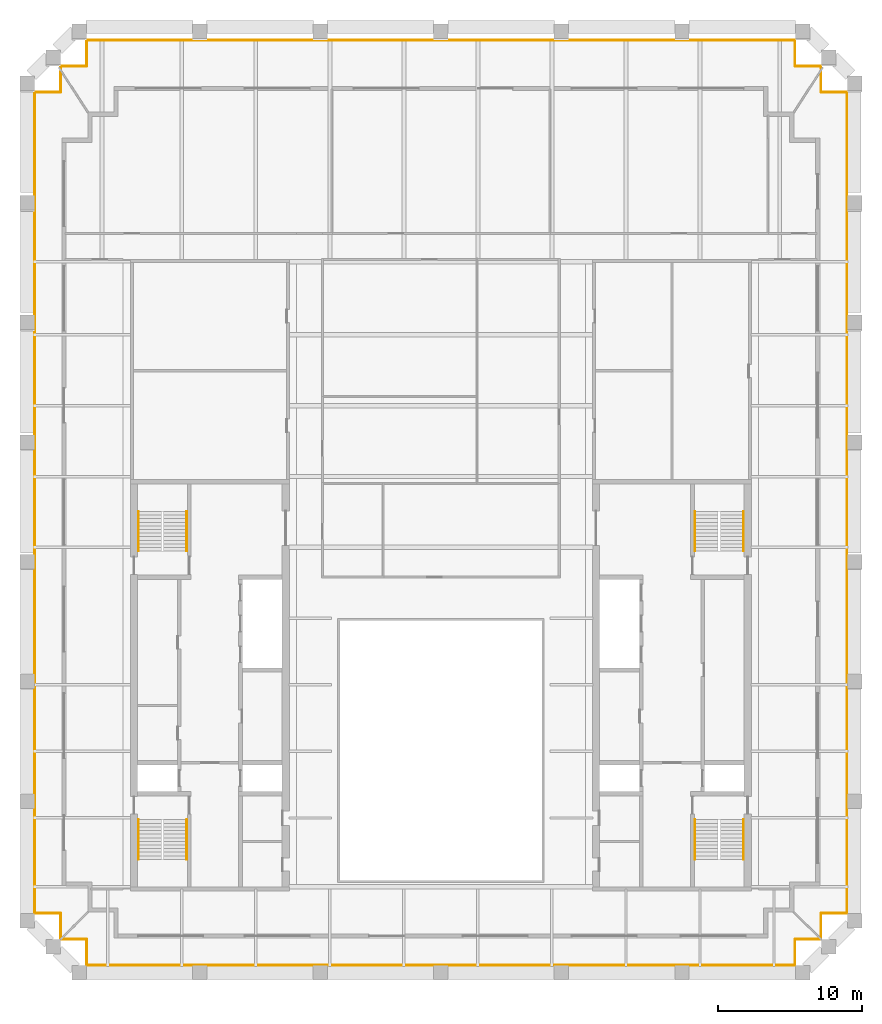
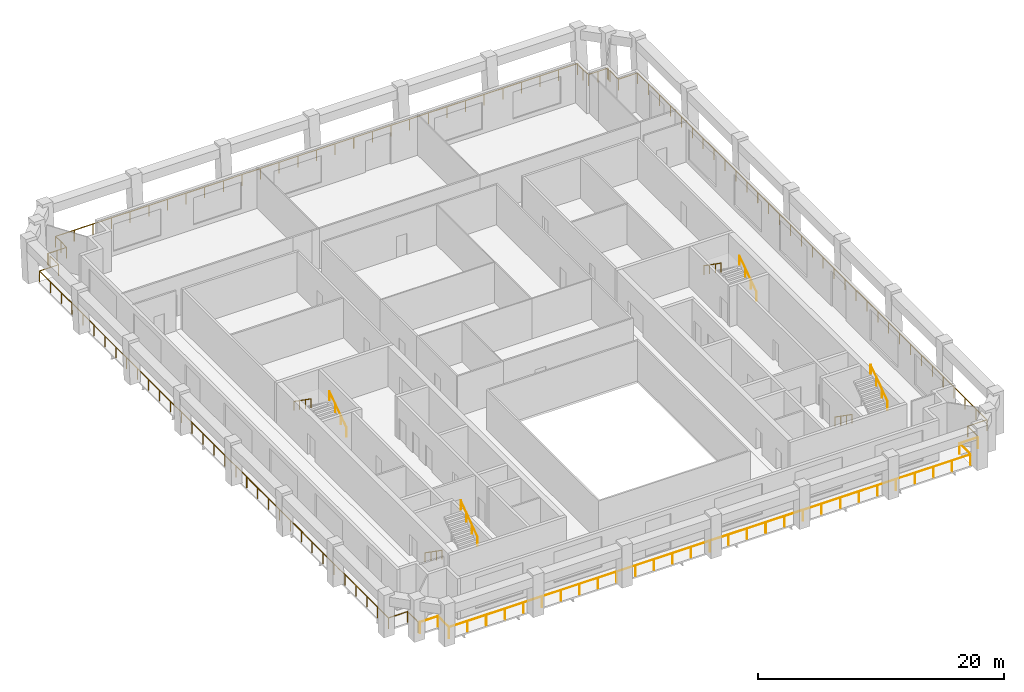
# One storey, part 8 of 8: 12 railings.
"""IFC4 building model written with IfcOpenShell, lengths in metres."""

from ifc_helpers import new_model, si_unit, direction, frame, origin, origin_2d, place, context, subcontext, project, spatial, circle, extrude, material, type_object, element, save


model = new_model("IFC4")

# Units and contexts
model_context = context("Model", 3, precision=1e-05, world=origin(), true_north=direction((0.0, 1.0)))
body_context = subcontext(model_context, "Body", "Model", "MODEL_VIEW")
ifc_project = project(units=[si_unit("LENGTHUNIT", "METRE"), si_unit("AREAUNIT", "SQUARE_METRE"), si_unit("VOLUMEUNIT", "CUBIC_METRE"), si_unit("PLANEANGLEUNIT", "RADIAN"), si_unit("MASSUNIT", "GRAM", prefix="KILO")], contexts=[model_context])

# Site, building, storey
site_placement = place(None, origin())
site = spatial("IfcSite", under=ifc_project, at=site_placement, CompositionType="ELEMENT")
building_placement = place(site_placement, origin())
building = spatial("IfcBuilding", under=site, at=building_placement, Name="Ogive Exchange Tower", CompositionType="ELEMENT")
storey_placement = place(building_placement, frame((0.0, 0.0, 317.39990234375)))
storey = spatial("IfcBuildingStorey", under=building, at=storey_placement, Name="L69", CompositionType="ELEMENT", Elevation=317.39990234375)

# Railings
ifc_material_1 = material(Name="Stainless steel 316", Category="steel")
railing_type_1 = type_object("IfcRailingType", Name="Guard 1100 stainless steel and glass", PredefinedType="GUARDRAIL", material=ifc_material_1)
railing_1_placement = place(storey_placement, frame((26.238037109375, -6.080078125, -0.0498046875)))
element("IfcRailing", 1, at=railing_1_placement, inside=storey, type_object=railing_type_1, Name="Loggia guard 1", PredefinedType="GUARDRAIL", context=body_context, shape_type="SweptSolid", body=[
    extrude(circle(Radius=0.02392578125, at=origin_2d()), frame((0.0, 0.0, 1.076171875), z_axis=(-1.0, 0.0, 0.0), x_axis=(0.0, -1.0, 0.0)), (0.0, 0.0, 1.0), 1.7080078125),
    extrude(circle(Radius=0.02392578125, at=origin_2d()), frame((-1.7080078125, 0.0, 1.076171875), z_axis=(0.0, -1.0, 0.0), x_axis=(1.0, 0.0, 0.0)), (0.0, 0.0, 1.0), 1.7998046875),
    extrude(circle(Radius=0.02392578125, at=origin_2d()), frame((-1.7080078125, -1.7998046875, 1.076171875), z_axis=(-1.0, 0.0, 0.0), x_axis=(0.0, -1.0, 0.0)), (0.0, 0.0, 1.0), 49.06005859375),
    extrude(circle(Radius=0.02392578125, at=origin_2d()), frame((-50.76806640625, -1.7998046875, 1.076171875), z_axis=(0.0, 1.0, 0.0), x_axis=(-1.0, 0.0, 0.0)), (0.0, 0.0, 1.0), 1.7998046875),
    extrude(circle(Radius=0.02392578125, at=origin_2d()), frame((-50.76806640625, 0.0, 1.076171875), z_axis=(-1.0, 0.0, 0.0), x_axis=(0.0, -1.0, 0.0)), (0.0, 0.0, 1.0), 1.7080078125),
    extrude(circle(Radius=0.02099609375, at=origin_2d()), origin(), (0.0, 0.0, 1.0), 1.052001953125),
    extrude(circle(Radius=0.02099609375, at=origin_2d()), frame((-1.7080078125, 0.0, 0.0)), (0.0, 0.0, 1.0), 1.052001953125),
    extrude(circle(Radius=0.02099609375, at=origin_2d()), frame((-1.7080078125, -1.7998046875, 0.0)), (0.0, 0.0, 1.0), 1.052001953125),
    extrude(circle(Radius=0.02099609375, at=origin_2d()), frame((-3.460205078125, -1.7998046875, 0.0)), (0.0, 0.0, 1.0), 1.052001953125),
    extrude(circle(Radius=0.02099609375, at=origin_2d()), frame((-5.21240234375, -1.7998046875, 0.0)), (0.0, 0.0, 1.0), 1.052001953125),
    extrude(circle(Radius=0.02099609375, at=origin_2d()), frame((-6.96435546875, -1.7998046875, 0.0)), (0.0, 0.0, 1.0), 1.052001953125),
    extrude(circle(Radius=0.02099609375, at=origin_2d()), frame((-8.716552734375, -1.7998046875, 0.0)), (0.0, 0.0, 1.0), 1.052001953125),
    extrude(circle(Radius=0.02099609375, at=origin_2d()), frame((-10.46875, -1.7998046875, 0.0)), (0.0, 0.0, 1.0), 1.052001953125),
    extrude(circle(Radius=0.02099609375, at=origin_2d()), frame((-12.220947265625, -1.7998046875, 0.0)), (0.0, 0.0, 1.0), 1.052001953125),
    extrude(circle(Radius=0.02099609375, at=origin_2d()), frame((-13.97314453125, -1.7998046875, 0.0)), (0.0, 0.0, 1.0), 1.052001953125),
    extrude(circle(Radius=0.02099609375, at=origin_2d()), frame((-15.72509765625, -1.7998046875, 0.0)), (0.0, 0.0, 1.0), 1.052001953125),
    extrude(circle(Radius=0.02099609375, at=origin_2d()), frame((-17.477294921875, -1.7998046875, 0.0)), (0.0, 0.0, 1.0), 1.052001953125),
    extrude(circle(Radius=0.02099609375, at=origin_2d()), frame((-19.2294921875, -1.7998046875, 0.0)), (0.0, 0.0, 1.0), 1.052001953125),
    extrude(circle(Radius=0.02099609375, at=origin_2d()), frame((-20.981689453125, -1.7998046875, 0.0)), (0.0, 0.0, 1.0), 1.052001953125),
    extrude(circle(Radius=0.02099609375, at=origin_2d()), frame((-22.733642578125, -1.7998046875, 0.0)), (0.0, 0.0, 1.0), 1.052001953125),
    extrude(circle(Radius=0.02099609375, at=origin_2d()), frame((-24.48583984375, -1.7998046875, 0.0)), (0.0, 0.0, 1.0), 1.052001953125),
    extrude(circle(Radius=0.02099609375, at=origin_2d()), frame((-26.238037109375, -1.7998046875, 0.0)), (0.0, 0.0, 1.0), 1.052001953125),
    extrude(circle(Radius=0.02099609375, at=origin_2d()), frame((-27.990234375, -1.7998046875, 0.0)), (0.0, 0.0, 1.0), 1.052001953125),
    extrude(circle(Radius=0.02099609375, at=origin_2d()), frame((-29.742431640625, -1.7998046875, 0.0)), (0.0, 0.0, 1.0), 1.052001953125),
    extrude(circle(Radius=0.02099609375, at=origin_2d()), frame((-31.494384765625, -1.7998046875, 0.0)), (0.0, 0.0, 1.0), 1.052001953125),
    extrude(circle(Radius=0.02099609375, at=origin_2d()), frame((-33.24658203125, -1.7998046875, 0.0)), (0.0, 0.0, 1.0), 1.052001953125),
    extrude(circle(Radius=0.02099609375, at=origin_2d()), frame((-34.998779296875, -1.7998046875, 0.0)), (0.0, 0.0, 1.0), 1.052001953125),
    extrude(circle(Radius=0.02099609375, at=origin_2d()), frame((-36.7509765625, -1.7998046875, 0.0)), (0.0, 0.0, 1.0), 1.052001953125),
    extrude(circle(Radius=0.02099609375, at=origin_2d()), frame((-38.5029296875, -1.7998046875, 0.0)), (0.0, 0.0, 1.0), 1.052001953125),
    extrude(circle(Radius=0.02099609375, at=origin_2d()), frame((-40.255126953125, -1.7998046875, 0.0)), (0.0, 0.0, 1.0), 1.052001953125),
    extrude(circle(Radius=0.02099609375, at=origin_2d()), frame((-42.00732421875, -1.7998046875, 0.0)), (0.0, 0.0, 1.0), 1.052001953125),
    extrude(circle(Radius=0.02099609375, at=origin_2d()), frame((-43.759521484375, -1.7998046875, 0.0)), (0.0, 0.0, 1.0), 1.052001953125),
    extrude(circle(Radius=0.02099609375, at=origin_2d()), frame((-45.51171875, -1.7998046875, 0.0)), (0.0, 0.0, 1.0), 1.052001953125),
    extrude(circle(Radius=0.02099609375, at=origin_2d()), frame((-47.263671875, -1.7998046875, 0.0)), (0.0, 0.0, 1.0), 1.052001953125),
    extrude(circle(Radius=0.02099609375, at=origin_2d()), frame((-49.015869140625, -1.7998046875, 0.0)), (0.0, 0.0, 1.0), 1.052001953125),
    extrude(circle(Radius=0.02099609375, at=origin_2d()), frame((-50.76806640625, -1.7998046875, 0.0)), (0.0, 0.0, 1.0), 1.052001953125),
    extrude(circle(Radius=0.02099609375, at=origin_2d()), frame((-50.76806640625, 0.0, 0.0)), (0.0, 0.0, 1.0), 1.052001953125),
    extrude(circle(Radius=0.02099609375, at=origin_2d()), frame((-52.47607421875, 0.0, 0.0)), (0.0, 0.0, 1.0), 1.052001953125),
])
railing_2_placement = place(storey_placement, frame((-26.330078125, -5.988037109375, -0.0498046875)))
element("IfcRailing", 2, at=railing_2_placement, inside=storey, type_object=railing_type_1, Name="Loggia guard 2", PredefinedType="GUARDRAIL", context=body_context, shape_type="SweptSolid", body=[
    extrude(circle(Radius=0.02392578125, at=origin_2d()), frame((0.0, 0.0, 1.076171875), z_axis=(0.0, 1.0, 0.0), x_axis=(-1.0, 0.0, 0.0)), (0.0, 0.0, 1.0), 1.7080078125),
    extrude(circle(Radius=0.02392578125, at=origin_2d()), frame((0.0, 1.7080078125, 1.076171875), z_axis=(-1.0, 0.0, 0.0), x_axis=(0.0, -1.0, 0.0)), (0.0, 0.0, 1.0), 1.7998046875),
    extrude(circle(Radius=0.02392578125, at=origin_2d()), frame((-1.7998046875, 1.7080078125, 1.076171875), z_axis=(0.0, 1.0, 0.0), x_axis=(-1.0, 0.0, 0.0)), (0.0, 0.0, 1.0), 56.869140625),
    extrude(circle(Radius=0.02392578125, at=origin_2d()), frame((-1.7998046875, 58.5771484375, 1.076171875), z_axis=(1.0, 0.0, 0.0), x_axis=(0.0, 1.0, 0.0)), (0.0, 0.0, 1.0), 1.7998046875),
    extrude(circle(Radius=0.02392578125, at=origin_2d()), frame((0.0, 58.5771484375, 1.076171875), z_axis=(0.0, 1.0, 0.0), x_axis=(-1.0, 0.0, 0.0)), (0.0, 0.0, 1.0), 1.396728515625),
    extrude(circle(Radius=0.02099609375, at=origin_2d()), origin(), (0.0, 0.0, 1.0), 1.052001953125),
    extrude(circle(Radius=0.02099609375, at=origin_2d()), frame((0.0, 1.7080078125, 0.0)), (0.0, 0.0, 1.0), 1.052001953125),
    extrude(circle(Radius=0.02099609375, at=origin_2d()), frame((-1.7998046875, 1.7080078125, 0.0)), (0.0, 0.0, 1.0), 1.052001953125),
    extrude(circle(Radius=0.02099609375, at=origin_2d()), frame((-1.7998046875, 3.485107421875, 0.0)), (0.0, 0.0, 1.0), 1.052001953125),
    extrude(circle(Radius=0.02099609375, at=origin_2d()), frame((-1.7998046875, 5.26220703125, 0.0)), (0.0, 0.0, 1.0), 1.052001953125),
    extrude(circle(Radius=0.02099609375, at=origin_2d()), frame((-1.7998046875, 7.03955078125, 0.0)), (0.0, 0.0, 1.0), 1.052001953125),
    extrude(circle(Radius=0.02099609375, at=origin_2d()), frame((-1.7998046875, 8.816650390625, 0.0)), (0.0, 0.0, 1.0), 1.052001953125),
    extrude(circle(Radius=0.02099609375, at=origin_2d()), frame((-1.7998046875, 10.59375, 0.0)), (0.0, 0.0, 1.0), 1.052001953125),
    extrude(circle(Radius=0.02099609375, at=origin_2d()), frame((-1.7998046875, 12.37109375, 0.0)), (0.0, 0.0, 1.0), 1.052001953125),
    extrude(circle(Radius=0.02099609375, at=origin_2d()), frame((-1.7998046875, 14.148193359375, 0.0)), (0.0, 0.0, 1.0), 1.052001953125),
    extrude(circle(Radius=0.02099609375, at=origin_2d()), frame((-1.7998046875, 15.92529296875, 0.0)), (0.0, 0.0, 1.0), 1.052001953125),
    extrude(circle(Radius=0.02099609375, at=origin_2d()), frame((-1.7998046875, 17.702392578125, 0.0)), (0.0, 0.0, 1.0), 1.052001953125),
    extrude(circle(Radius=0.02099609375, at=origin_2d()), frame((-1.7998046875, 19.4794921875, 0.0)), (0.0, 0.0, 1.0), 1.052001953125),
    extrude(circle(Radius=0.02099609375, at=origin_2d()), frame((-1.7998046875, 21.2568359375, 0.0)), (0.0, 0.0, 1.0), 1.052001953125),
    extrude(circle(Radius=0.02099609375, at=origin_2d()), frame((-1.7998046875, 23.033935546875, 0.0)), (0.0, 0.0, 1.0), 1.052001953125),
    extrude(circle(Radius=0.02099609375, at=origin_2d()), frame((-1.7998046875, 24.81103515625, 0.0)), (0.0, 0.0, 1.0), 1.052001953125),
    extrude(circle(Radius=0.02099609375, at=origin_2d()), frame((-1.7998046875, 26.58837890625, 0.0)), (0.0, 0.0, 1.0), 1.052001953125),
    extrude(circle(Radius=0.02099609375, at=origin_2d()), frame((-1.7998046875, 28.365478515625, 0.0)), (0.0, 0.0, 1.0), 1.052001953125),
    extrude(circle(Radius=0.02099609375, at=origin_2d()), frame((-1.7998046875, 30.142578125, 0.0)), (0.0, 0.0, 1.0), 1.052001953125),
    extrude(circle(Radius=0.02099609375, at=origin_2d()), frame((-1.7998046875, 31.919677734375, 0.0)), (0.0, 0.0, 1.0), 1.052001953125),
    extrude(circle(Radius=0.02099609375, at=origin_2d()), frame((-1.7998046875, 33.69677734375, 0.0)), (0.0, 0.0, 1.0), 1.052001953125),
    extrude(circle(Radius=0.02099609375, at=origin_2d()), frame((-1.7998046875, 35.47412109375, 0.0)), (0.0, 0.0, 1.0), 1.052001953125),
    extrude(circle(Radius=0.02099609375, at=origin_2d()), frame((-1.7998046875, 37.251220703125, 0.0)), (0.0, 0.0, 1.0), 1.052001953125),
    extrude(circle(Radius=0.02099609375, at=origin_2d()), frame((-1.7998046875, 39.0283203125, 0.0)), (0.0, 0.0, 1.0), 1.052001953125),
    extrude(circle(Radius=0.02099609375, at=origin_2d()), frame((-1.7998046875, 40.8056640625, 0.0)), (0.0, 0.0, 1.0), 1.052001953125),
    extrude(circle(Radius=0.02099609375, at=origin_2d()), frame((-1.7998046875, 42.582763671875, 0.0)), (0.0, 0.0, 1.0), 1.052001953125),
    extrude(circle(Radius=0.02099609375, at=origin_2d()), frame((-1.7998046875, 44.35986328125, 0.0)), (0.0, 0.0, 1.0), 1.052001953125),
    extrude(circle(Radius=0.02099609375, at=origin_2d()), frame((-1.7998046875, 46.136962890625, 0.0)), (0.0, 0.0, 1.0), 1.052001953125),
    extrude(circle(Radius=0.02099609375, at=origin_2d()), frame((-1.7998046875, 47.9140625, 0.0)), (0.0, 0.0, 1.0), 1.052001953125),
    extrude(circle(Radius=0.02099609375, at=origin_2d()), frame((-1.7998046875, 49.69140625, 0.0)), (0.0, 0.0, 1.0), 1.052001953125),
    extrude(circle(Radius=0.02099609375, at=origin_2d()), frame((-1.7998046875, 51.468505859375, 0.0)), (0.0, 0.0, 1.0), 1.052001953125),
    extrude(circle(Radius=0.02099609375, at=origin_2d()), frame((-1.7998046875, 53.24560546875, 0.0)), (0.0, 0.0, 1.0), 1.052001953125),
    extrude(circle(Radius=0.02099609375, at=origin_2d()), frame((-1.7998046875, 55.02294921875, 0.0)), (0.0, 0.0, 1.0), 1.052001953125),
    extrude(circle(Radius=0.02099609375, at=origin_2d()), frame((-1.7998046875, 56.800048828125, 0.0)), (0.0, 0.0, 1.0), 1.052001953125),
    extrude(circle(Radius=0.02099609375, at=origin_2d()), frame((-1.7998046875, 58.5771484375, 0.0)), (0.0, 0.0, 1.0), 1.052001953125),
    extrude(circle(Radius=0.02099609375, at=origin_2d()), frame((0.0, 58.5771484375, 0.0)), (0.0, 0.0, 1.0), 1.052001953125),
    extrude(circle(Radius=0.02099609375, at=origin_2d()), frame((0.0, 59.973876953125, 0.0)), (0.0, 0.0, 1.0), 1.052001953125),
])
railing_3_placement = place(storey_placement, frame((-26.330078125, 54.22509765625, -0.0498046875)))
element("IfcRailing", 3, at=railing_3_placement, inside=storey, type_object=railing_type_1, Name="Loggia guard 3", PredefinedType="GUARDRAIL", context=body_context, shape_type="SweptSolid", body=[
    extrude(circle(Radius=0.02392578125, at=origin_2d()), frame((0.0, 0.0, 1.076171875), z_axis=(0.0, 1.0, 0.0), x_axis=(-1.0, 0.0, 0.0)), (0.0, 0.0, 1.0), 0.1640625),
    extrude(circle(Radius=0.02392578125, at=origin_2d()), frame((0.0, 0.1640625, 1.076171875), z_axis=(1.0, 0.0, 0.0), x_axis=(0.0, 1.0, 0.0)), (0.0, 0.0, 1.0), 1.800048828125),
    extrude(circle(Radius=0.02392578125, at=origin_2d()), frame((1.800048828125, 0.1640625, 1.076171875), z_axis=(0.0, 1.0, 0.0), x_axis=(-1.0, 0.0, 0.0)), (0.0, 0.0, 1.0), 1.800048828125),
    extrude(circle(Radius=0.02392578125, at=origin_2d()), frame((1.800048828125, 1.964111328125, 1.076171875), z_axis=(1.0, 0.0, 0.0), x_axis=(0.0, 1.0, 0.0)), (0.0, 0.0, 1.0), 49.06005859375),
    extrude(circle(Radius=0.02392578125, at=origin_2d()), frame((50.860107421875, 1.964111328125, 1.076171875), z_axis=(0.0, -1.0, 0.0), x_axis=(1.0, 0.0, 0.0)), (0.0, 0.0, 1.0), 1.800048828125),
    extrude(circle(Radius=0.02392578125, at=origin_2d()), frame((50.860107421875, 0.1640625, 1.076171875), z_axis=(1.0, 0.0, 0.0), x_axis=(0.0, 1.0, 0.0)), (0.0, 0.0, 1.0), 1.800048828125),
    extrude(circle(Radius=0.02392578125, at=origin_2d()), frame((52.66015625, 0.1640625, 1.076171875), z_axis=(0.0, -1.0, 0.0), x_axis=(1.0, 0.0, 0.0)), (0.0, 0.0, 1.0), 0.1640625),
    extrude(circle(Radius=0.02099609375, at=origin_2d()), origin(), (0.0, 0.0, 1.0), 1.052001953125),
    extrude(circle(Radius=0.02099609375, at=origin_2d()), frame((0.0, 0.1640625, 0.0)), (0.0, 0.0, 1.0), 1.052001953125),
    extrude(circle(Radius=0.02099609375, at=origin_2d()), frame((0.89990234375, 0.1640625, 0.0)), (0.0, 0.0, 1.0), 1.052001953125),
    extrude(circle(Radius=0.02099609375, at=origin_2d()), frame((1.800048828125, 0.1640625, 0.0)), (0.0, 0.0, 1.0), 1.052001953125),
    extrude(circle(Radius=0.02099609375, at=origin_2d()), frame((1.800048828125, 1.06396484375, 0.0)), (0.0, 0.0, 1.0), 1.052001953125),
    extrude(circle(Radius=0.02099609375, at=origin_2d()), frame((1.800048828125, 1.964111328125, 0.0)), (0.0, 0.0, 1.0), 1.052001953125),
    extrude(circle(Radius=0.02099609375, at=origin_2d()), frame((3.55224609375, 1.964111328125, 0.0)), (0.0, 0.0, 1.0), 1.052001953125),
    extrude(circle(Radius=0.02099609375, at=origin_2d()), frame((5.304443359375, 1.964111328125, 0.0)), (0.0, 0.0, 1.0), 1.052001953125),
    extrude(circle(Radius=0.02099609375, at=origin_2d()), frame((7.056396484375, 1.964111328125, 0.0)), (0.0, 0.0, 1.0), 1.052001953125),
    extrude(circle(Radius=0.02099609375, at=origin_2d()), frame((8.80859375, 1.964111328125, 0.0)), (0.0, 0.0, 1.0), 1.052001953125),
    extrude(circle(Radius=0.02099609375, at=origin_2d()), frame((10.560791015625, 1.964111328125, 0.0)), (0.0, 0.0, 1.0), 1.052001953125),
    extrude(circle(Radius=0.02099609375, at=origin_2d()), frame((12.31298828125, 1.964111328125, 0.0)), (0.0, 0.0, 1.0), 1.052001953125),
    extrude(circle(Radius=0.02099609375, at=origin_2d()), frame((14.06494140625, 1.964111328125, 0.0)), (0.0, 0.0, 1.0), 1.052001953125),
    extrude(circle(Radius=0.02099609375, at=origin_2d()), frame((15.817138671875, 1.964111328125, 0.0)), (0.0, 0.0, 1.0), 1.052001953125),
    extrude(circle(Radius=0.02099609375, at=origin_2d()), frame((17.5693359375, 1.964111328125, 0.0)), (0.0, 0.0, 1.0), 1.052001953125),
    extrude(circle(Radius=0.02099609375, at=origin_2d()), frame((19.321533203125, 1.964111328125, 0.0)), (0.0, 0.0, 1.0), 1.052001953125),
    extrude(circle(Radius=0.02099609375, at=origin_2d()), frame((21.07373046875, 1.964111328125, 0.0)), (0.0, 0.0, 1.0), 1.052001953125),
    extrude(circle(Radius=0.02099609375, at=origin_2d()), frame((22.82568359375, 1.964111328125, 0.0)), (0.0, 0.0, 1.0), 1.052001953125),
    extrude(circle(Radius=0.02099609375, at=origin_2d()), frame((24.577880859375, 1.964111328125, 0.0)), (0.0, 0.0, 1.0), 1.052001953125),
    extrude(circle(Radius=0.02099609375, at=origin_2d()), frame((26.330078125, 1.964111328125, 0.0)), (0.0, 0.0, 1.0), 1.052001953125),
    extrude(circle(Radius=0.02099609375, at=origin_2d()), frame((28.082275390625, 1.964111328125, 0.0)), (0.0, 0.0, 1.0), 1.052001953125),
    extrude(circle(Radius=0.02099609375, at=origin_2d()), frame((29.83447265625, 1.964111328125, 0.0)), (0.0, 0.0, 1.0), 1.052001953125),
    extrude(circle(Radius=0.02099609375, at=origin_2d()), frame((31.58642578125, 1.964111328125, 0.0)), (0.0, 0.0, 1.0), 1.052001953125),
    extrude(circle(Radius=0.02099609375, at=origin_2d()), frame((33.338623046875, 1.964111328125, 0.0)), (0.0, 0.0, 1.0), 1.052001953125),
    extrude(circle(Radius=0.02099609375, at=origin_2d()), frame((35.0908203125, 1.964111328125, 0.0)), (0.0, 0.0, 1.0), 1.052001953125),
    extrude(circle(Radius=0.02099609375, at=origin_2d()), frame((36.843017578125, 1.964111328125, 0.0)), (0.0, 0.0, 1.0), 1.052001953125),
    extrude(circle(Radius=0.02099609375, at=origin_2d()), frame((38.59521484375, 1.964111328125, 0.0)), (0.0, 0.0, 1.0), 1.052001953125),
    extrude(circle(Radius=0.02099609375, at=origin_2d()), frame((40.34716796875, 1.964111328125, 0.0)), (0.0, 0.0, 1.0), 1.052001953125),
    extrude(circle(Radius=0.02099609375, at=origin_2d()), frame((42.099365234375, 1.964111328125, 0.0)), (0.0, 0.0, 1.0), 1.052001953125),
    extrude(circle(Radius=0.02099609375, at=origin_2d()), frame((43.8515625, 1.964111328125, 0.0)), (0.0, 0.0, 1.0), 1.052001953125),
    extrude(circle(Radius=0.02099609375, at=origin_2d()), frame((45.603759765625, 1.964111328125, 0.0)), (0.0, 0.0, 1.0), 1.052001953125),
    extrude(circle(Radius=0.02099609375, at=origin_2d()), frame((47.355712890625, 1.964111328125, 0.0)), (0.0, 0.0, 1.0), 1.052001953125),
    extrude(circle(Radius=0.02099609375, at=origin_2d()), frame((49.10791015625, 1.964111328125, 0.0)), (0.0, 0.0, 1.0), 1.052001953125),
    extrude(circle(Radius=0.02099609375, at=origin_2d()), frame((50.860107421875, 1.964111328125, 0.0)), (0.0, 0.0, 1.0), 1.052001953125),
    extrude(circle(Radius=0.02099609375, at=origin_2d()), frame((50.860107421875, 1.06396484375, 0.0)), (0.0, 0.0, 1.0), 1.052001953125),
    extrude(circle(Radius=0.02099609375, at=origin_2d()), frame((50.860107421875, 0.1640625, 0.0)), (0.0, 0.0, 1.0), 1.052001953125),
    extrude(circle(Radius=0.02099609375, at=origin_2d()), frame((51.76025390625, 0.1640625, 0.0)), (0.0, 0.0, 1.0), 1.052001953125),
    extrude(circle(Radius=0.02099609375, at=origin_2d()), frame((52.66015625, 0.1640625, 0.0)), (0.0, 0.0, 1.0), 1.052001953125),
    extrude(circle(Radius=0.02099609375, at=origin_2d()), frame((52.66015625, 0.0, 0.0)), (0.0, 0.0, 1.0), 1.052001953125),
])
railing_4_placement = place(storey_placement, frame((26.330078125, 53.98583984375, -0.0498046875)))
element("IfcRailing", 4, at=railing_4_placement, inside=storey, type_object=railing_type_1, Name="Loggia guard 4", PredefinedType="GUARDRAIL", context=body_context, shape_type="SweptSolid", body=[
    extrude(circle(Radius=0.02392578125, at=origin_2d()), frame((0.0, 0.0, 1.076171875), z_axis=(0.0, -1.0, 0.0), x_axis=(1.0, 0.0, 0.0)), (0.0, 0.0, 1.0), 1.396728515625),
    extrude(circle(Radius=0.02392578125, at=origin_2d()), frame((0.0, -1.396728515625, 1.076171875), z_axis=(1.0, 0.0, 0.0), x_axis=(0.0, 1.0, 0.0)), (0.0, 0.0, 1.0), 1.7998046875),
    extrude(circle(Radius=0.02392578125, at=origin_2d()), frame((1.7998046875, -1.396728515625, 1.076171875), z_axis=(0.0, -1.0, 0.0), x_axis=(1.0, 0.0, 0.0)), (0.0, 0.0, 1.0), 56.869140625),
    extrude(circle(Radius=0.02392578125, at=origin_2d()), frame((1.7998046875, -58.265869140625, 1.076171875), z_axis=(-1.0, 0.0, 0.0), x_axis=(0.0, -1.0, 0.0)), (0.0, 0.0, 1.0), 1.7998046875),
    extrude(circle(Radius=0.02392578125, at=origin_2d()), frame((0.0, -58.265869140625, 1.076171875), z_axis=(0.0, -1.0, 0.0), x_axis=(1.0, 0.0, 0.0)), (0.0, 0.0, 1.0), 1.7080078125),
    extrude(circle(Radius=0.02099609375, at=origin_2d()), origin(), (0.0, 0.0, 1.0), 1.052001953125),
    extrude(circle(Radius=0.02099609375, at=origin_2d()), frame((0.0, -1.396728515625, 0.0)), (0.0, 0.0, 1.0), 1.052001953125),
    extrude(circle(Radius=0.02099609375, at=origin_2d()), frame((1.7998046875, -1.396728515625, 0.0)), (0.0, 0.0, 1.0), 1.052001953125),
    extrude(circle(Radius=0.02099609375, at=origin_2d()), frame((1.7998046875, -3.173828125, 0.0)), (0.0, 0.0, 1.0), 1.052001953125),
    extrude(circle(Radius=0.02099609375, at=origin_2d()), frame((1.7998046875, -4.951171875, 0.0)), (0.0, 0.0, 1.0), 1.052001953125),
    extrude(circle(Radius=0.02099609375, at=origin_2d()), frame((1.7998046875, -6.728271484375, 0.0)), (0.0, 0.0, 1.0), 1.052001953125),
    extrude(circle(Radius=0.02099609375, at=origin_2d()), frame((1.7998046875, -8.50537109375, 0.0)), (0.0, 0.0, 1.0), 1.052001953125),
    extrude(circle(Radius=0.02099609375, at=origin_2d()), frame((1.7998046875, -10.282470703125, 0.0)), (0.0, 0.0, 1.0), 1.052001953125),
    extrude(circle(Radius=0.02099609375, at=origin_2d()), frame((1.7998046875, -12.0595703125, 0.0)), (0.0, 0.0, 1.0), 1.052001953125),
    extrude(circle(Radius=0.02099609375, at=origin_2d()), frame((1.7998046875, -13.8369140625, 0.0)), (0.0, 0.0, 1.0), 1.052001953125),
    extrude(circle(Radius=0.02099609375, at=origin_2d()), frame((1.7998046875, -15.614013671875, 0.0)), (0.0, 0.0, 1.0), 1.052001953125),
    extrude(circle(Radius=0.02099609375, at=origin_2d()), frame((1.7998046875, -17.39111328125, 0.0)), (0.0, 0.0, 1.0), 1.052001953125),
    extrude(circle(Radius=0.02099609375, at=origin_2d()), frame((1.7998046875, -19.16845703125, 0.0)), (0.0, 0.0, 1.0), 1.052001953125),
    extrude(circle(Radius=0.02099609375, at=origin_2d()), frame((1.7998046875, -20.945556640625, 0.0)), (0.0, 0.0, 1.0), 1.052001953125),
    extrude(circle(Radius=0.02099609375, at=origin_2d()), frame((1.7998046875, -22.72265625, 0.0)), (0.0, 0.0, 1.0), 1.052001953125),
    extrude(circle(Radius=0.02099609375, at=origin_2d()), frame((1.7998046875, -24.499755859375, 0.0)), (0.0, 0.0, 1.0), 1.052001953125),
    extrude(circle(Radius=0.02099609375, at=origin_2d()), frame((1.7998046875, -26.27685546875, 0.0)), (0.0, 0.0, 1.0), 1.052001953125),
    extrude(circle(Radius=0.02099609375, at=origin_2d()), frame((1.7998046875, -28.05419921875, 0.0)), (0.0, 0.0, 1.0), 1.052001953125),
    extrude(circle(Radius=0.02099609375, at=origin_2d()), frame((1.7998046875, -29.831298828125, 0.0)), (0.0, 0.0, 1.0), 1.052001953125),
    extrude(circle(Radius=0.02099609375, at=origin_2d()), frame((1.7998046875, -31.6083984375, 0.0)), (0.0, 0.0, 1.0), 1.052001953125),
    extrude(circle(Radius=0.02099609375, at=origin_2d()), frame((1.7998046875, -33.3857421875, 0.0)), (0.0, 0.0, 1.0), 1.052001953125),
    extrude(circle(Radius=0.02099609375, at=origin_2d()), frame((1.7998046875, -35.162841796875, 0.0)), (0.0, 0.0, 1.0), 1.052001953125),
    extrude(circle(Radius=0.02099609375, at=origin_2d()), frame((1.7998046875, -36.93994140625, 0.0)), (0.0, 0.0, 1.0), 1.052001953125),
    extrude(circle(Radius=0.02099609375, at=origin_2d()), frame((1.7998046875, -38.717041015625, 0.0)), (0.0, 0.0, 1.0), 1.052001953125),
    extrude(circle(Radius=0.02099609375, at=origin_2d()), frame((1.7998046875, -40.494140625, 0.0)), (0.0, 0.0, 1.0), 1.052001953125),
    extrude(circle(Radius=0.02099609375, at=origin_2d()), frame((1.7998046875, -42.271484375, 0.0)), (0.0, 0.0, 1.0), 1.052001953125),
    extrude(circle(Radius=0.02099609375, at=origin_2d()), frame((1.7998046875, -44.048583984375, 0.0)), (0.0, 0.0, 1.0), 1.052001953125),
    extrude(circle(Radius=0.02099609375, at=origin_2d()), frame((1.7998046875, -45.82568359375, 0.0)), (0.0, 0.0, 1.0), 1.052001953125),
    extrude(circle(Radius=0.02099609375, at=origin_2d()), frame((1.7998046875, -47.60302734375, 0.0)), (0.0, 0.0, 1.0), 1.052001953125),
    extrude(circle(Radius=0.02099609375, at=origin_2d()), frame((1.7998046875, -49.380126953125, 0.0)), (0.0, 0.0, 1.0), 1.052001953125),
    extrude(circle(Radius=0.02099609375, at=origin_2d()), frame((1.7998046875, -51.1572265625, 0.0)), (0.0, 0.0, 1.0), 1.052001953125),
    extrude(circle(Radius=0.02099609375, at=origin_2d()), frame((1.7998046875, -52.934326171875, 0.0)), (0.0, 0.0, 1.0), 1.052001953125),
    extrude(circle(Radius=0.02099609375, at=origin_2d()), frame((1.7998046875, -54.71142578125, 0.0)), (0.0, 0.0, 1.0), 1.052001953125),
    extrude(circle(Radius=0.02099609375, at=origin_2d()), frame((1.7998046875, -56.48876953125, 0.0)), (0.0, 0.0, 1.0), 1.052001953125),
    extrude(circle(Radius=0.02099609375, at=origin_2d()), frame((1.7998046875, -58.265869140625, 0.0)), (0.0, 0.0, 1.0), 1.052001953125),
    extrude(circle(Radius=0.02099609375, at=origin_2d()), frame((0.0, -58.265869140625, 0.0)), (0.0, 0.0, 1.0), 1.052001953125),
    extrude(circle(Radius=0.02099609375, at=origin_2d()), frame((0.0, -59.973876953125, 0.0)), (0.0, 0.0, 1.0), 1.052001953125),
])
ifc_material_2 = material(Name="Stainless steel", Category="steel")
railing_type_2 = type_object("IfcRailingType", Name="Stair handrail 900", PredefinedType="HANDRAIL", material=ifc_material_2)
railing_5_placement = place(storey_placement, frame((-20.949951171875, 2.199951171875, 0.175048828125)))
element("IfcRailing", 5, at=railing_5_placement, inside=storey, type_object=railing_type_2, Name="L69 ST1 stair handrail 1", PredefinedType="HANDRAIL", context=body_context, shape_type="SweptSolid", body=[
    extrude(circle(Radius=0.02392578125, at=origin_2d()), frame((0.0, 0.0, 0.8759765625), z_axis=(0.0, -0.819225086817, 0.573472106672), x_axis=(1.0, 0.0, 0.0)), (0.0, 0.0, 1.0), 3.35693359375),
    extrude(circle(Radius=0.02099609375, at=origin_2d()), origin(), (0.0, 0.0, 1.0), 0.851806640625),
    extrude(circle(Radius=0.02099609375, at=origin_2d()), frame((0.0, -0.916748046875, 0.6416015625)), (0.0, 0.0, 1.0), 0.851806640625),
    extrude(circle(Radius=0.02099609375, at=origin_2d()), frame((0.0, -1.833251953125, 1.283447265625)), (0.0, 0.0, 1.0), 0.851806640625),
    extrude(circle(Radius=0.02099609375, at=origin_2d()), frame((0.0, -2.75, 1.925048828125)), (0.0, 0.0, 1.0), 0.851806640625),
])
for number, where, name in (
    (6, (-17.60009765625, -0.550048828125, 2.275146484375), "L69 ST1 stair handrail 2"),
    (7, (-17.60009765625, 20.800048828125, 0.175048828125), "L69 ST2 stair handrail 1"),
):
    element("IfcRailing", number, at=place(storey_placement, frame(where)), inside=storey, type_object=railing_type_2, Name=name, PredefinedType="HANDRAIL", context=body_context, shape_type="SweptSolid", body=[
        extrude(circle(Radius=0.02392578125, at=origin_2d()), frame((0.0, 0.0, 0.8759765625), z_axis=(0.0, 0.819225086817, 0.573472106672), x_axis=(-1.0, 0.0, 0.0)), (0.0, 0.0, 1.0), 3.35693359375),
        extrude(circle(Radius=0.02099609375, at=origin_2d()), origin(), (0.0, 0.0, 1.0), 0.851806640625),
        extrude(circle(Radius=0.02099609375, at=origin_2d()), frame((0.0, 0.916748046875, 0.6416015625)), (0.0, 0.0, 1.0), 0.851806640625),
        extrude(circle(Radius=0.02099609375, at=origin_2d()), frame((0.0, 1.833251953125, 1.283447265625)), (0.0, 0.0, 1.0), 0.851806640625),
        extrude(circle(Radius=0.02099609375, at=origin_2d()), frame((0.0, 2.75, 1.925048828125)), (0.0, 0.0, 1.0), 0.851806640625),
    ])
for number, where, name in (
    (8, (-20.949951171875, 23.550048828125, 2.275146484375), "L69 ST2 stair handrail 2"),
    (9, (17.60009765625, 2.199951171875, 0.175048828125), "L69 ST3 stair handrail 1"),
):
    element("IfcRailing", number, at=place(storey_placement, frame(where)), inside=storey, type_object=railing_type_2, Name=name, PredefinedType="HANDRAIL", context=body_context, shape_type="SweptSolid", body=[
        extrude(circle(Radius=0.02392578125, at=origin_2d()), frame((0.0, 0.0, 0.8759765625), z_axis=(0.0, -0.819225086817, 0.573472106672), x_axis=(1.0, 0.0, 0.0)), (0.0, 0.0, 1.0), 3.35693359375),
        extrude(circle(Radius=0.02099609375, at=origin_2d()), origin(), (0.0, 0.0, 1.0), 0.851806640625),
        extrude(circle(Radius=0.02099609375, at=origin_2d()), frame((0.0, -0.916748046875, 0.6416015625)), (0.0, 0.0, 1.0), 0.851806640625),
        extrude(circle(Radius=0.02099609375, at=origin_2d()), frame((0.0, -1.833251953125, 1.283447265625)), (0.0, 0.0, 1.0), 0.851806640625),
        extrude(circle(Radius=0.02099609375, at=origin_2d()), frame((0.0, -2.75, 1.925048828125)), (0.0, 0.0, 1.0), 0.851806640625),
    ])
for number, where, name in (
    (10, (20.949951171875, -0.550048828125, 2.275146484375), "L69 ST3 stair handrail 2"),
    (11, (20.949951171875, 20.800048828125, 0.175048828125), "L69 ST4 stair handrail 1"),
):
    element("IfcRailing", number, at=place(storey_placement, frame(where)), inside=storey, type_object=railing_type_2, Name=name, PredefinedType="HANDRAIL", context=body_context, shape_type="SweptSolid", body=[
        extrude(circle(Radius=0.02392578125, at=origin_2d()), frame((0.0, 0.0, 0.8759765625), z_axis=(0.0, 0.819225086817, 0.573472106672), x_axis=(-1.0, 0.0, 0.0)), (0.0, 0.0, 1.0), 3.35693359375),
        extrude(circle(Radius=0.02099609375, at=origin_2d()), origin(), (0.0, 0.0, 1.0), 0.851806640625),
        extrude(circle(Radius=0.02099609375, at=origin_2d()), frame((0.0, 0.916748046875, 0.6416015625)), (0.0, 0.0, 1.0), 0.851806640625),
        extrude(circle(Radius=0.02099609375, at=origin_2d()), frame((0.0, 1.833251953125, 1.283447265625)), (0.0, 0.0, 1.0), 0.851806640625),
        extrude(circle(Radius=0.02099609375, at=origin_2d()), frame((0.0, 2.75, 1.925048828125)), (0.0, 0.0, 1.0), 0.851806640625),
    ])
railing_6_placement = place(storey_placement, frame((17.60009765625, 23.550048828125, 2.275146484375)))
element("IfcRailing", 12, at=railing_6_placement, inside=storey, type_object=railing_type_2, Name="L69 ST4 stair handrail 2", PredefinedType="HANDRAIL", context=body_context, shape_type="SweptSolid", body=[
    extrude(circle(Radius=0.02392578125, at=origin_2d()), frame((0.0, 0.0, 0.8759765625), z_axis=(0.0, -0.819225086817, 0.573472106672), x_axis=(1.0, 0.0, 0.0)), (0.0, 0.0, 1.0), 3.35693359375),
    extrude(circle(Radius=0.02099609375, at=origin_2d()), origin(), (0.0, 0.0, 1.0), 0.851806640625),
    extrude(circle(Radius=0.02099609375, at=origin_2d()), frame((0.0, -0.916748046875, 0.6416015625)), (0.0, 0.0, 1.0), 0.851806640625),
    extrude(circle(Radius=0.02099609375, at=origin_2d()), frame((0.0, -1.833251953125, 1.283447265625)), (0.0, 0.0, 1.0), 0.851806640625),
    extrude(circle(Radius=0.02099609375, at=origin_2d()), frame((0.0, -2.75, 1.925048828125)), (0.0, 0.0, 1.0), 0.851806640625),
])

save(model, "model.ifc")
